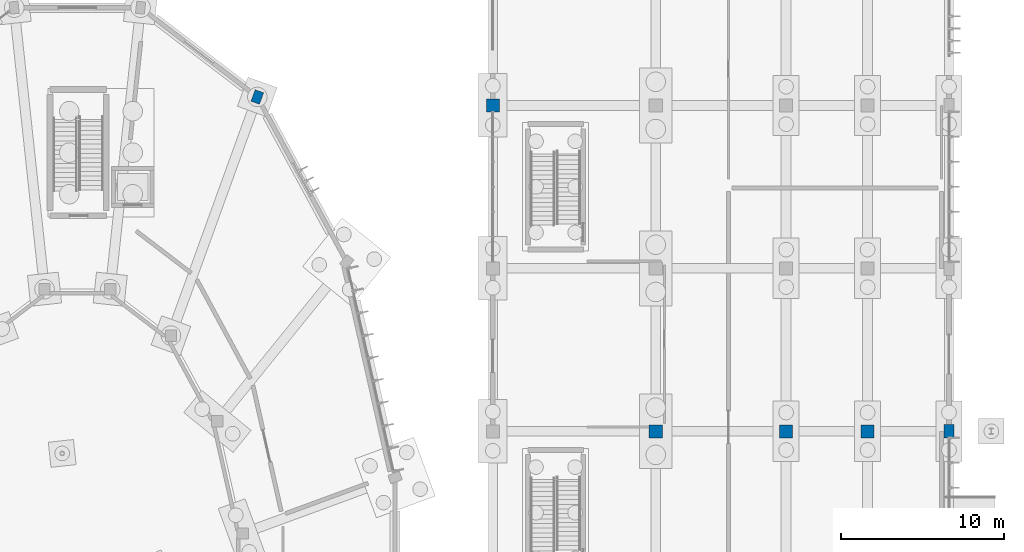
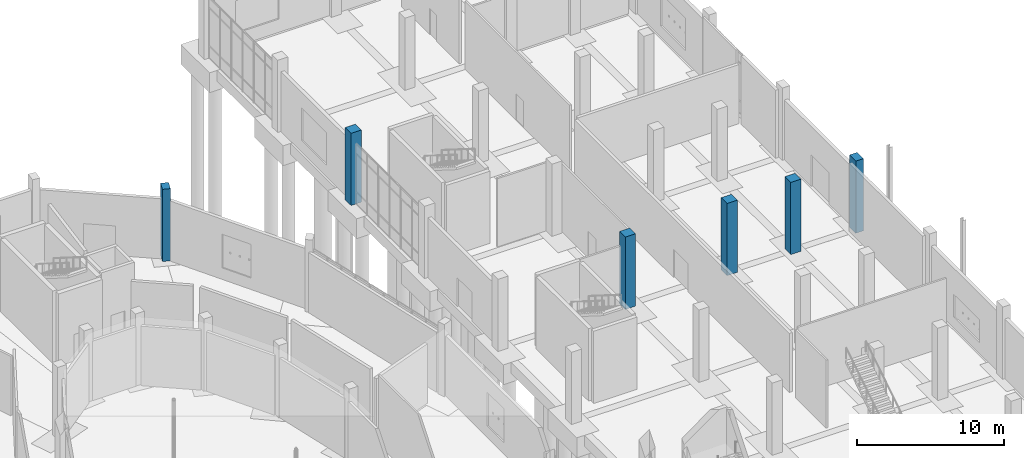
# One storey, part 28 of 140: 6 columns.
"""IFC4 building model written with IfcOpenShell, lengths in metres."""

from ifc_helpers import new_model, si_unit, direction, frame, origin, origin_2d, place, context, subcontext, project, spatial, rectangle, extrude, material, material_profile, profile_set, type_object, element, save


model = new_model("IFC4")

# Units and contexts
model_context = context("Model", 3, precision=1e-05, world=origin(), true_north=direction((0.0, 1.0)))
body_context = subcontext(model_context, "Body", "Model", "MODEL_VIEW")
ifc_project = project(units=[si_unit("LENGTHUNIT", "METRE"), si_unit("AREAUNIT", "SQUARE_METRE"), si_unit("VOLUMEUNIT", "CUBIC_METRE"), si_unit("PLANEANGLEUNIT", "RADIAN"), si_unit("MASSUNIT", "GRAM", prefix="KILO")], contexts=[model_context])

# Site, building, storey
site_placement = place(None, origin())
site = spatial("IfcSite", under=ifc_project, at=site_placement, CompositionType="ELEMENT")
building_placement = place(site_placement, origin())
building = spatial("IfcBuilding", under=site, at=building_placement, Name="Corvandel Quay Wholesale Market", CompositionType="ELEMENT")
storey_placement = place(building_placement, origin())
storey = spatial("IfcBuildingStorey", under=building, at=storey_placement, Name="L00", CompositionType="ELEMENT", Elevation=0.0)

# Columns
ifc_material = material(Name="Precast concrete C45/55", Category="concrete")
ifc_material_profile_1 = material_profile(ifc_material, rectangle(XDim=0.60009765625, YDim=0.85009765625, at=origin_2d()), Name="PC-COL-600x850")
ifc_profile_set_1 = profile_set([ifc_material_profile_1], Name="Precast concrete C45/55")
column_type_1 = type_object("IfcColumnType", Name="Colonnade Pier C08 600x850", PredefinedType="COLUMN", material=ifc_profile_set_1)
column_1_placement = place(storey_placement, frame((248.0, 70.0, 0.0), z_axis=(0.0, 0.0, 1.0), x_axis=(1.0, 0.0, 0.0)))
element("IfcColumn", 1, at=column_1_placement, inside=storey, type_object=column_type_1, Name="Column COL-0934", PredefinedType="COLUMN", context=body_context, shape_type="SweptSolid", body=[
    extrude(rectangle(XDim=0.60009765625, YDim=0.85009765625, at=origin_2d()), origin(), (0.0, 0.0, 1.0), 6.0),
])
ifc_material_profile_2 = material_profile(ifc_material, rectangle(XDim=0.550048828125, YDim=0.75, at=origin_2d()), Name="PC-COL-550x750")
ifc_profile_set_2 = profile_set([ifc_material_profile_2], Name="Precast concrete C45/55")
column_type_2 = type_object("IfcColumnType", Name="Pavilion Pier C09 550x750", PredefinedType="COLUMN", material=ifc_profile_set_2)
column_2_placement = place(storey_placement, frame((205.5458984375, 90.51904296875, 0.0), z_axis=(0.0, 0.0, 1.0), x_axis=(-0.94028812701, 0.340379550213, 0.0)))
element("IfcColumn", 2, at=column_2_placement, inside=storey, type_object=column_type_2, Name="Column COL-0492", PredefinedType="COLUMN", context=body_context, shape_type="SweptSolid", body=[
    extrude(rectangle(XDim=0.550048828125, YDim=0.75, at=origin_2d()), origin(), (0.0, 0.0, 1.0), 6.0),
])
ifc_material_profile_3 = material_profile(ifc_material, rectangle(XDim=0.800048828125, YDim=0.800048828125, at=origin_2d()), Name="PC-COL-800x800")
ifc_profile_set_3 = profile_set([ifc_material_profile_3], Name="Precast concrete C45/55")
column_type_3 = type_object("IfcColumnType", Name="Precast Column C02 800x800", PredefinedType="COLUMN", material=ifc_profile_set_3)
for number, where, z_axis, x_axis, name in (
    (3, (220.0, 90.0, 0.0), (0.0, 0.0, 1.0), (1.0, 0.0, 0.0), "Column COL-0803"),
    (4, (230.0, 70.0, 0.0), (0.0, 0.0, 1.0), (1.0, 0.0, 0.0), "Column COL-0835"),
    (5, (238.0, 70.0, 0.0), (0.0, 0.0, 1.0), (1.0, 0.0, 0.0), "Column COL-0875"),
    (6, (243.0, 70.0, 0.0), (0.0, 0.0, 1.0), (1.0, 0.0, 0.0), "Column COL-0909"),
):
    element("IfcColumn", number, at=place(storey_placement, frame(where, z_axis=z_axis, x_axis=x_axis)), inside=storey, type_object=column_type_3, Name=name, PredefinedType="COLUMN", context=body_context, shape_type="SweptSolid", body=[
        extrude(rectangle(XDim=0.800048828125, YDim=0.800048828125, at=origin_2d()), origin(), (0.0, 0.0, 1.0), 6.0),
    ])

save(model, "model.ifc")
